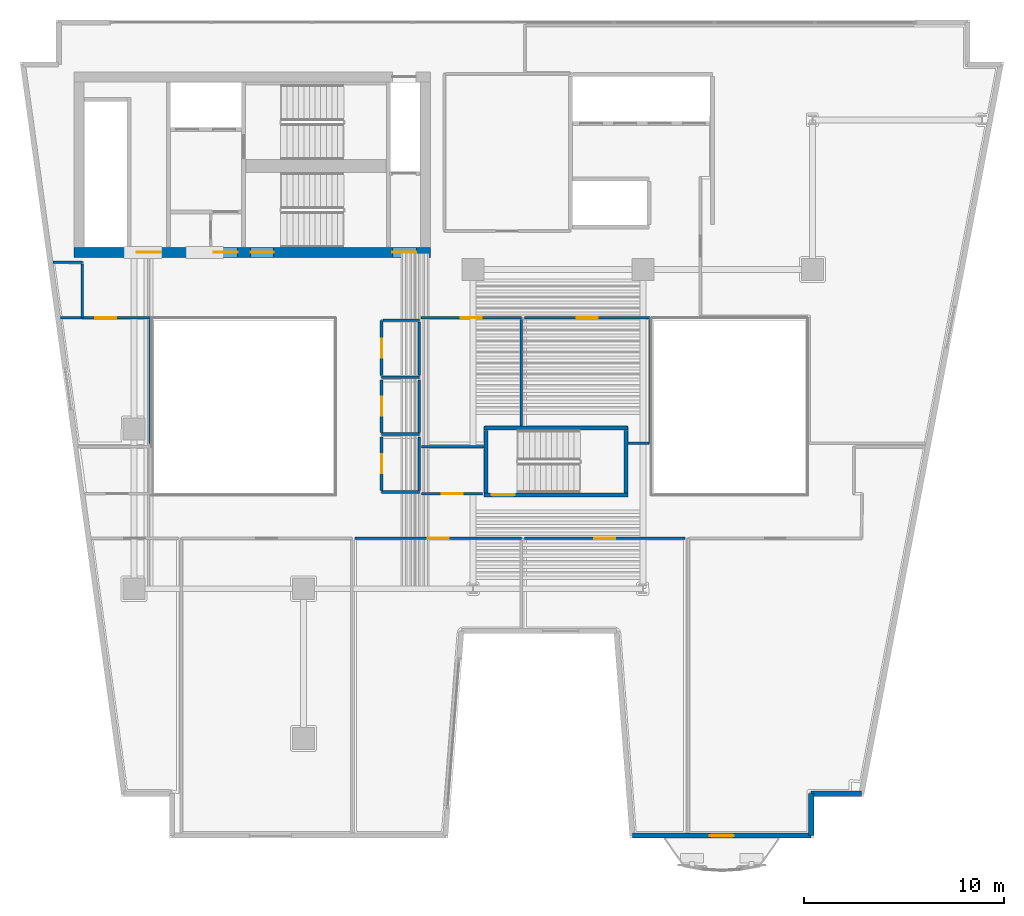
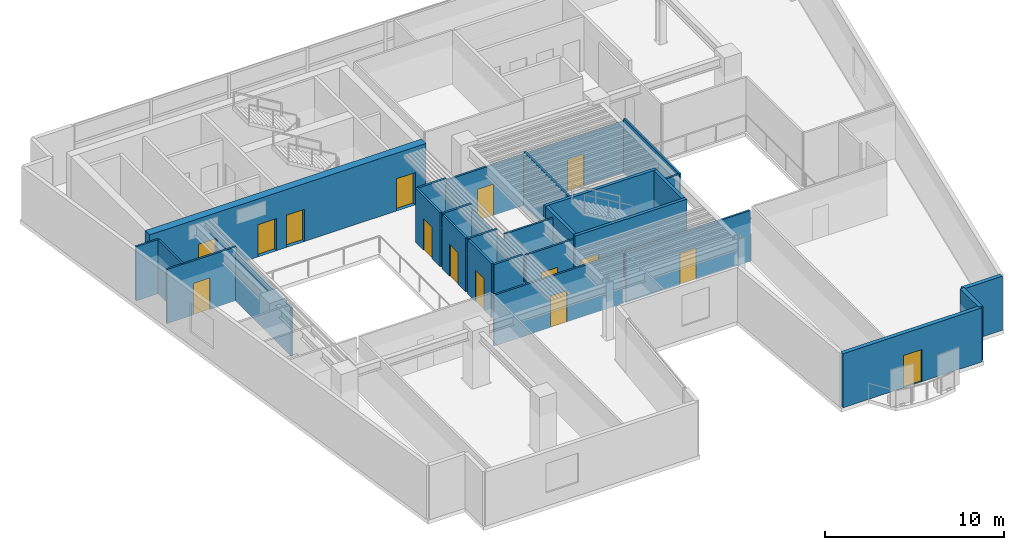
# One storey, part 6 of 12: 31 walls, 15 doors, 15 openings.
"""IFC4 building model written with IfcOpenShell, lengths in metres."""

from ifc_helpers import new_model, si_unit, direction, frame, frame_2d, origin, place, context, subcontext, project, spatial, rectangle, extrude, material, layer, layer_set, type_object, element, fill, save


model = new_model("IFC4")

# Units and contexts
model_context = context("Model", 3, precision=1e-05, world=origin(), true_north=direction((0.0, 1.0)))
body_context = subcontext(model_context, "Body", "Model", "MODEL_VIEW")
ifc_project = project(units=[si_unit("LENGTHUNIT", "METRE"), si_unit("AREAUNIT", "SQUARE_METRE"), si_unit("VOLUMEUNIT", "CUBIC_METRE"), si_unit("PLANEANGLEUNIT", "RADIAN"), si_unit("MASSUNIT", "GRAM", prefix="KILO")], contexts=[model_context])

# Site, building, storey
site_placement = place(None, origin())
site = spatial("IfcSite", under=ifc_project, at=site_placement, CompositionType="ELEMENT")
building_placement = place(site_placement, origin())
building = spatial("IfcBuilding", under=site, at=building_placement, Name="Caeloran Harvest Quay", CompositionType="ELEMENT")
storey_placement = place(building_placement, frame((0.0, 0.0, 154.85009765625)))
storey = spatial("IfcBuildingStorey", under=building, at=storey_placement, Name="L36", CompositionType="ELEMENT", Elevation=154.85009765625)

# Walls
ifc_material_1 = material(Name="Precast concrete C50/60", Category="concrete")
ifc_layer_1 = layer(ifc_material_1, 0.260009765625, Name="Precast concrete C50/60")
ifc_layer_set_1 = layer_set([ifc_layer_1], Name="Precast concrete C50/60")
wall_type_1 = type_object("IfcWallType", Name="ENV-WALL-EW-260", PredefinedType="STANDARD", material=ifc_layer_set_1)
wall_1_placement = place(storey_placement, frame((44.96337890625, 4.72998046875, 0.0), z_axis=(0.0, 0.0, 1.0), x_axis=(-1.0, 0.0, 0.0)))
element("IfcWall", 1, at=wall_1_placement, inside=storey, type_object=wall_type_1, Name="L36 Exterior Precast Concrete Facade Wall 10", PredefinedType="STANDARD", context=body_context, shape_type="SweptSolid", body=[
    extrude(rectangle(XDim=2.5234375, YDim=0.260009765625, at=frame_2d((1.26171875, 0.0))), origin(), (0.0, 0.0, 1.0), 3.68994140625),
])
wall_2_placement = place(storey_placement, frame((42.43994140625, 4.72998046875, 0.0), z_axis=(0.0, 0.0, 1.0), x_axis=(0.0, -1.0, 0.0)))
element("IfcWall", 2, at=wall_2_placement, inside=storey, type_object=wall_type_1, Name="L36 Exterior Precast Concrete Facade Wall 11", PredefinedType="STANDARD", context=body_context, shape_type="SweptSolid", body=[
    extrude(rectangle(XDim=2.10009765625, YDim=0.260009765625, at=frame_2d((1.050048828125, 0.0))), origin(), (0.0, 0.0, 1.0), 3.68994140625),
])

# Wall, opening, door
wall_3_placement = place(storey_placement, frame((42.43994140625, 2.6298828125, 0.0), z_axis=(0.0, 0.0, 1.0), x_axis=(-1.0, 0.0, 0.0)))
wall_3 = element("IfcWall", 3, at=wall_3_placement, inside=storey, type_object=wall_type_1, Name="L36 Exterior Precast Concrete Facade Wall 12", PredefinedType="STANDARD", context=body_context, shape_type="SweptSolid", body=[
    extrude(rectangle(XDim=8.96484375, YDim=0.260009765625, at=frame_2d((4.482421875, 0.0))), origin(), (0.0, 0.0, 1.0), 3.68994140625),
])
opening_1_placement = place(wall_3_placement, frame((3.882080078125, 0.0, 0.0)))
opening_1 = element("IfcOpeningElement", 4, at=opening_1_placement, cuts=wall_3, Name="Opening BD-01", PredefinedType="OPENING", context=body_context, shape_type="SweptSolid", body=[
    extrude(rectangle(XDim=1.199951171875, YDim=2.199951171875, at=frame_2d((0.60009765625, 1.10009765625))), frame((0.0, 0.14013671875, 0.0), z_axis=(0.0, -1.0, 0.0), x_axis=(1.0, 0.0, 0.0)), (0.0, 0.0, 1.0), 0.280029296875),
])
ifc_material_2 = material(Name="Thermally Broken Powder-Coated Aluminium and Safety Glass", Category="aluminium")
door_type_1 = type_object("IfcDoorType", Name="EXTDOOR-BD-01", OperationType="NOTDEFINED", PredefinedType="DOOR", material=ifc_material_2)
door_1_placement = place(opening_1_placement, origin())
door_1 = element("IfcDoor", 5, at=door_1_placement, inside=storey, type_object=door_type_1, Name="L36 Planted Balcony Glazed Access Door", OperationType="SINGLE_SWING_LEFT", OverallHeight=2.199951171875, OverallWidth=1.199951171875, PredefinedType="DOOR", context=body_context, shape_type="SweptSolid", body=[
    extrude(rectangle(XDim=1.199951171875, YDim=2.199951171875, at=frame_2d((0.60009765625, 1.10009765625))), frame((0.0, 0.02490234375, 0.0), z_axis=(0.0, -1.0, 0.0), x_axis=(1.0, 0.0, 0.0)), (0.0, 0.0, 1.0), 0.050048828125),
])
fill(opening_1, door_1)

ifc_material_3 = material(Name="Twin-Stud Mineral-Wool Acoustic Gypsum Partition", Category="gypsum")
ifc_layer_2 = layer(ifc_material_3, 0.125, Name="Twin-Stud Mineral-Wool Acoustic Gypsum Partition")
ifc_layer_set_2 = layer_set([ifc_layer_2], Name="Twin-Stud Mineral-Wool Acoustic Gypsum Partition")
wall_type_2 = type_object("IfcWallType", Name="INT-WALL-PW-125", PredefinedType="PARTITIONING", material=ifc_layer_set_2)
wall_4_placement = place(storey_placement, frame((19.580078125, 17.52001953125, 0.0), z_axis=(0.0, 0.0, 1.0), x_axis=(1.0, 0.0, 0.0)))
wall_4 = element("IfcWall", 6, at=wall_4_placement, inside=storey, type_object=wall_type_2, Name="Climate Risk Modelling Office Partition Wall", PredefinedType="PARTITIONING", context=body_context, shape_type="SweptSolid", body=[
    extrude(rectangle(XDim=8.33984375, YDim=0.125, at=frame_2d((4.169921875, 0.0))), origin(), (0.0, 0.0, 1.0), 3.474853515625),
])
opening_2_placement = place(wall_4_placement, frame((3.64501953125, 0.0, 0.0)))
opening_2 = element("IfcOpeningElement", 7, at=opening_2_placement, cuts=wall_4, Name="Opening ID-03", PredefinedType="OPENING", context=body_context, shape_type="SweptSolid", body=[
    extrude(rectangle(XDim=1.050048828125, YDim=2.14990234375, at=frame_2d((0.52490234375, 1.074951171875))), frame((0.0, 0.072509765625, 0.0), z_axis=(0.0, -1.0, 0.0), x_axis=(1.0, 0.0, 0.0)), (0.0, 0.0, 1.0), 0.14501953125),
])
ifc_material_4 = material(Name="FSC Solid-Core Oak Timber Leaf", Category="wood")
door_type_2 = type_object("IfcDoorType", Name="INTDOOR-ID-03", OperationType="NOTDEFINED", PredefinedType="DOOR", material=ifc_material_4)
door_2_placement = place(opening_2_placement, origin())
door_2 = element("IfcDoor", 8, at=door_2_placement, inside=storey, type_object=door_type_2, Name="Climate Risk Modelling Office Access Door", OperationType="SINGLE_SWING_LEFT", OverallHeight=2.14990234375, OverallWidth=1.050048828125, PredefinedType="DOOR", context=body_context, shape_type="SweptSolid", body=[
    extrude(rectangle(XDim=1.050048828125, YDim=2.14990234375, at=frame_2d((0.52490234375, 1.074951171875))), frame((0.0, 0.02490234375, 0.0), z_axis=(0.0, -1.0, 0.0), x_axis=(1.0, 0.0, 0.0)), (0.0, 0.0, 1.0), 0.050048828125),
])
fill(opening_2, door_2)

wall_5_placement = place(storey_placement, frame((28.080078125, 17.52001953125, 0.0), z_axis=(0.0, 0.0, 1.0), x_axis=(1.0, 0.0, 0.0)))
wall_5 = element("IfcWall", 9, at=wall_5_placement, inside=storey, type_object=wall_type_2, Name="Video-Conference Boardroom Partition Wall", PredefinedType="PARTITIONING", context=body_context, shape_type="SweptSolid", body=[
    extrude(rectangle(XDim=8.0400390625, YDim=0.125, at=frame_2d((4.02001953125, 0.0))), origin(), (0.0, 0.0, 1.0), 3.474853515625),
])
opening_3_placement = place(wall_5_placement, frame((3.4951171875, 0.0, 0.0)))
opening_3 = element("IfcOpeningElement", 10, at=opening_3_placement, cuts=wall_5, Name="Opening ID-03", PredefinedType="OPENING", context=body_context, shape_type="SweptSolid", body=[
    extrude(rectangle(XDim=1.050048828125, YDim=2.14990234375, at=frame_2d((0.52490234375, 1.074951171875))), frame((0.0, 0.072509765625, 0.0), z_axis=(0.0, -1.0, 0.0), x_axis=(1.0, 0.0, 0.0)), (0.0, 0.0, 1.0), 0.14501953125),
])
door_3_placement = place(opening_3_placement, origin())
door_3 = element("IfcDoor", 11, at=door_3_placement, inside=storey, type_object=door_type_2, Name="Video-Conference Boardroom Access Door", OperationType="SINGLE_SWING_RIGHT", OverallHeight=2.14990234375, OverallWidth=1.050048828125, PredefinedType="DOOR", context=body_context, shape_type="SweptSolid", body=[
    extrude(rectangle(XDim=1.050048828125, YDim=2.14990234375, at=frame_2d((0.52490234375, 1.074951171875))), frame((0.0, 0.02490234375, 0.0), z_axis=(0.0, -1.0, 0.0), x_axis=(1.0, 0.0, 0.0)), (0.0, 0.0, 1.0), 0.050048828125),
])
fill(opening_3, door_3)

wall_6_placement = place(storey_placement, frame((25.9755859375, 19.75, 0.0), z_axis=(0.0, 0.0, 1.0), x_axis=(-1.0, 0.0, 0.0)))
wall_6 = element("IfcWall", 12, at=wall_6_placement, inside=storey, type_object=wall_type_2, Name="Executive Briefing Conference Room Partition Wall", PredefinedType="PARTITIONING", context=body_context, shape_type="SweptSolid", body=[
    extrude(rectangle(XDim=3.065673828125, YDim=0.125, at=frame_2d((1.53271484375, 0.0))), origin(), (0.0, 0.0, 1.0), 3.68994140625),
])
opening_4_placement = place(wall_6_placement, frame((1.0078125, 0.0, 0.0)))
opening_4 = element("IfcOpeningElement", 13, at=opening_4_placement, cuts=wall_6, Name="Opening ID-03", PredefinedType="OPENING", context=body_context, shape_type="SweptSolid", body=[
    extrude(rectangle(XDim=1.050048828125, YDim=2.14990234375, at=frame_2d((0.52490234375, 1.074951171875))), frame((0.0, 0.072509765625, 0.0), z_axis=(0.0, -1.0, 0.0), x_axis=(1.0, 0.0, 0.0)), (0.0, 0.0, 1.0), 0.14501953125),
])
door_4_placement = place(opening_4_placement, origin())
door_4 = element("IfcDoor", 14, at=door_4_placement, inside=storey, type_object=door_type_2, Name="Executive Briefing Conference Room Access Door", OperationType="SINGLE_SWING_LEFT", OverallHeight=2.14990234375, OverallWidth=1.050048828125, PredefinedType="DOOR", context=body_context, shape_type="SweptSolid", body=[
    extrude(rectangle(XDim=1.050048828125, YDim=2.14990234375, at=frame_2d((0.52490234375, 1.074951171875))), frame((0.0, 0.02490234375, 0.0), z_axis=(0.0, -1.0, 0.0), x_axis=(1.0, 0.0, 0.0)), (0.0, 0.0, 1.0), 0.050048828125),
])
fill(opening_4, door_4)

# Wall
wall_7_placement = place(storey_placement, frame((22.909912109375, 22.1201171875, 0.0), z_axis=(0.0, 0.0, 1.0), x_axis=(1.0, 0.0, 0.0)))
element("IfcWall", 15, at=wall_7_placement, inside=storey, type_object=wall_type_2, Name="Executive Briefing Conference Room Partition Wall", PredefinedType="PARTITIONING", context=body_context, shape_type="SweptSolid", body=[
    extrude(rectangle(XDim=3.135009765625, YDim=0.125, at=frame_2d((1.5673828125, 0.0))), origin(), (0.0, 0.0, 1.0), 3.68994140625),
])

# Wall, opening, door
wall_8_placement = place(storey_placement, frame((22.889892578125, 28.570068359375, 0.0), z_axis=(0.0, 0.0, 1.0), x_axis=(1.0, 0.0, 0.0)))
wall_8 = element("IfcWall", 16, at=wall_8_placement, inside=storey, type_object=wall_type_2, Name="Client Reception Salon Lounge Partition Wall", PredefinedType="PARTITIONING", context=body_context, shape_type="SweptSolid", body=[
    extrude(rectangle(XDim=5.030029296875, YDim=0.125, at=frame_2d((2.51513671875, 0.0))), origin(), (0.0, 0.0, 1.0), 3.474853515625),
])
opening_5_placement = place(wall_8_placement, frame((1.989990234375, 0.0, 0.0)))
opening_5 = element("IfcOpeningElement", 17, at=opening_5_placement, cuts=wall_8, Name="Opening ID-03", PredefinedType="OPENING", context=body_context, shape_type="SweptSolid", body=[
    extrude(rectangle(XDim=1.050048828125, YDim=2.14990234375, at=frame_2d((0.52490234375, 1.074951171875))), frame((0.0, 0.072509765625, 0.0), z_axis=(0.0, -1.0, 0.0), x_axis=(1.0, 0.0, 0.0)), (0.0, 0.0, 1.0), 0.14501953125),
])
door_5_placement = place(opening_5_placement, origin())
door_5 = element("IfcDoor", 18, at=door_5_placement, inside=storey, type_object=door_type_2, Name="Client Reception Salon Lounge Access Door", OperationType="SINGLE_SWING_LEFT", OverallHeight=2.14990234375, OverallWidth=1.050048828125, PredefinedType="DOOR", context=body_context, shape_type="SweptSolid", body=[
    extrude(rectangle(XDim=1.050048828125, YDim=2.14990234375, at=frame_2d((0.52490234375, 1.074951171875))), frame((0.0, 0.02490234375, 0.0), z_axis=(0.0, -1.0, 0.0), x_axis=(1.0, 0.0, 0.0)), (0.0, 0.0, 1.0), 0.050048828125),
])
fill(opening_5, door_5)

# Wall
wall_9_placement = place(storey_placement, frame((27.919921875, 28.50244140625, 0.0), z_axis=(0.0, 0.0, 1.0), x_axis=(0.0, -1.0, 0.0)))
element("IfcWall", 19, at=wall_9_placement, inside=storey, type_object=wall_type_2, Name="Client Reception Salon Lounge Partition Wall", PredefinedType="PARTITIONING", context=body_context, shape_type="SweptSolid", body=[
    extrude(rectangle(XDim=5.347412109375, YDim=0.125, at=frame_2d((2.673828125, 0.0))), origin(), (0.0, 0.0, 1.0), 3.68994140625),
])

# Wall, opening, door
wall_10_placement = place(storey_placement, frame((28.080078125, 28.570068359375, 0.0), z_axis=(0.0, 0.0, 1.0), x_axis=(1.0, 0.0, 0.0)))
wall_10 = element("IfcWall", 20, at=wall_10_placement, inside=storey, type_object=wall_type_2, Name="Supply-Chain Digital Trading Floor Office 9 Partition Wall", PredefinedType="PARTITIONING", context=body_context, shape_type="SweptSolid", body=[
    extrude(rectangle(XDim=6.2900390625, YDim=0.125, at=frame_2d((3.14501953125, 0.0))), origin(), (0.0, 0.0, 1.0), 3.474853515625),
])
opening_6_placement = place(wall_10_placement, frame((2.6201171875, 0.0, 0.0)))
opening_6 = element("IfcOpeningElement", 21, at=opening_6_placement, cuts=wall_10, Name="Opening ID-03", PredefinedType="OPENING", context=body_context, shape_type="SweptSolid", body=[
    extrude(rectangle(XDim=1.050048828125, YDim=2.14990234375, at=frame_2d((0.52490234375, 1.074951171875))), frame((0.0, 0.072509765625, 0.0), z_axis=(0.0, -1.0, 0.0), x_axis=(1.0, 0.0, 0.0)), (0.0, 0.0, 1.0), 0.14501953125),
])
door_6_placement = place(opening_6_placement, origin())
door_6 = element("IfcDoor", 22, at=door_6_placement, inside=storey, type_object=door_type_2, Name="Supply-Chain Digital Trading Floor Office 9 Access Door", OperationType="SINGLE_SWING_RIGHT", OverallHeight=2.14990234375, OverallWidth=1.050048828125, PredefinedType="DOOR", context=body_context, shape_type="SweptSolid", body=[
    extrude(rectangle(XDim=1.050048828125, YDim=2.14990234375, at=frame_2d((0.52490234375, 1.074951171875))), frame((0.0, 0.02490234375, 0.0), z_axis=(0.0, -1.0, 0.0), x_axis=(1.0, 0.0, 0.0)), (0.0, 0.0, 1.0), 0.050048828125),
])
fill(opening_6, door_6)

# Walls
wall_11_placement = place(storey_placement, frame((34.3701171875, 28.50244140625, 0.0), z_axis=(0.0, 0.0, 1.0), x_axis=(0.0, -1.0, 0.0)))
element("IfcWall", 23, at=wall_11_placement, inside=storey, type_object=wall_type_2, Name="Supply-Chain Digital Trading Floor Office 9 Partition Wall", PredefinedType="PARTITIONING", context=body_context, shape_type="SweptSolid", body=[
    extrude(rectangle(XDim=6.222412109375, YDim=0.125, at=frame_2d((3.111328125, 0.0))), origin(), (0.0, 0.0, 1.0), 3.68994140625),
])
wall_12_placement = place(storey_placement, frame((34.302490234375, 22.280029296875, 0.0), z_axis=(0.0, 0.0, 1.0), x_axis=(-1.0, 0.0, 0.0)))
element("IfcWall", 24, at=wall_12_placement, inside=storey, type_object=wall_type_2, Name="Supply-Chain Digital Trading Floor Office 9 Partition Wall", PredefinedType="PARTITIONING", context=body_context, shape_type="SweptSolid", body=[
    extrude(rectangle(XDim=1.047607421875, YDim=0.125, at=frame_2d((0.52392578125, 0.0))), origin(), (0.0, 0.0, 1.0), 3.68994140625),
])
wall_13_placement = place(storey_placement, frame((4.44775390625, 31.35009765625, 0.0), z_axis=(0.0, 0.0, 1.0), x_axis=(1.0, 0.0, 0.0)))
element("IfcWall", 25, at=wall_13_placement, inside=storey, type_object=wall_type_2, Name="Climate Risk Modelling Office 10 Partition Wall", PredefinedType="PARTITIONING", context=body_context, shape_type="SweptSolid", body=[
    extrude(rectangle(XDim=1.47216796875, YDim=0.125, at=frame_2d((0.736083984375, 0.0))), origin(), (0.0, 0.0, 1.0), 3.68994140625),
])
wall_14_placement = place(storey_placement, frame((5.919921875, 31.282470703125, 0.0), z_axis=(0.0, 0.0, 1.0), x_axis=(0.0, -1.0, 0.0)))
element("IfcWall", 26, at=wall_14_placement, inside=storey, type_object=wall_type_2, Name="Climate Risk Modelling Office 10 Partition Wall", PredefinedType="PARTITIONING", context=body_context, shape_type="SweptSolid", body=[
    extrude(rectangle(XDim=2.682373046875, YDim=0.125, at=frame_2d((1.34130859375, 0.0))), origin(), (0.0, 0.0, 1.0), 3.68994140625),
])

# Wall, opening, door
wall_15_placement = place(storey_placement, frame((4.832275390625, 28.570068359375, 0.0), z_axis=(0.0, 0.0, 1.0), x_axis=(1.0, 0.0, 0.0)))
wall_15 = element("IfcWall", 27, at=wall_15_placement, inside=storey, type_object=wall_type_2, Name="Climate Risk Modelling Office 10 Partition Wall", PredefinedType="PARTITIONING", context=body_context, shape_type="SweptSolid", body=[
    extrude(rectangle(XDim=4.48779296875, YDim=0.125, at=frame_2d((2.243896484375, 0.0))), origin(), (0.0, 0.0, 1.0), 3.68994140625),
])
opening_7_placement = place(wall_15_placement, frame((1.718994140625, 0.0, 0.0)))
opening_7 = element("IfcOpeningElement", 28, at=opening_7_placement, cuts=wall_15, Name="Opening ID-03", PredefinedType="OPENING", context=body_context, shape_type="SweptSolid", body=[
    extrude(rectangle(XDim=1.050048828125, YDim=2.14990234375, at=frame_2d((0.52490234375, 1.074951171875))), frame((0.0, 0.072509765625, 0.0), z_axis=(0.0, -1.0, 0.0), x_axis=(1.0, 0.0, 0.0)), (0.0, 0.0, 1.0), 0.14501953125),
])
door_7_placement = place(opening_7_placement, origin())
door_7 = element("IfcDoor", 29, at=door_7_placement, inside=storey, type_object=door_type_2, Name="Climate Risk Modelling Office 10 Access Door", OperationType="SINGLE_SWING_LEFT", OverallHeight=2.14990234375, OverallWidth=1.050048828125, PredefinedType="DOOR", context=body_context, shape_type="SweptSolid", body=[
    extrude(rectangle(XDim=1.050048828125, YDim=2.14990234375, at=frame_2d((0.52490234375, 1.074951171875))), frame((0.0, 0.02490234375, 0.0), z_axis=(0.0, -1.0, 0.0), x_axis=(1.0, 0.0, 0.0)), (0.0, 0.0, 1.0), 0.050048828125),
])
fill(opening_7, door_7)

# Walls
wall_16_placement = place(storey_placement, frame((9.320068359375, 28.50244140625, 0.0), z_axis=(0.0, 0.0, 1.0), x_axis=(0.0, -1.0, 0.0)))
element("IfcWall", 30, at=wall_16_placement, inside=storey, type_object=wall_type_2, Name="Climate Risk Modelling Office 10 Partition Wall", PredefinedType="PARTITIONING", context=body_context, shape_type="SweptSolid", body=[
    extrude(rectangle(XDim=6.222412109375, YDim=0.125, at=frame_2d((3.111328125, 0.0))), origin(), (0.0, 0.0, 1.0), 3.31494140625),
])
ifc_material_5 = material(Name="Moisture-Resistant Cement-Board Sanitary Partition", Category="gypsum")
ifc_layer_3 = layer(ifc_material_5, 0.139892578125, Name="Moisture-Resistant Cement-Board Sanitary Partition")
ifc_layer_set_3 = layer_set([ifc_layer_3], Name="Moisture-Resistant Cement-Board Sanitary Partition")
wall_type_3 = type_object("IfcWallType", Name="INT-WALL-PW-140", PredefinedType="PARTITIONING", material=ifc_layer_set_3)
wall_17_placement = place(storey_placement, frame((22.800048828125, 25.60009765625, 0.0), z_axis=(0.0, 0.0, 1.0), x_axis=(-1.0, 0.0, 0.0)))
element("IfcWall", 31, at=wall_17_placement, inside=storey, type_object=wall_type_3, Name="L36 Male Washroom WC Partition Wall", PredefinedType="PARTITIONING", context=body_context, shape_type="SweptSolid", body=[
    extrude(rectangle(XDim=1.89013671875, YDim=0.139892578125, at=frame_2d((0.945068359375, 0.0))), origin(), (0.0, 0.0, 1.0), 3.68994140625),
])

# Wall, opening, door
wall_18_placement = place(storey_placement, frame((20.909912109375, 25.675048828125, 0.0), z_axis=(0.0, 0.0, 1.0), x_axis=(0.0, 1.0, 0.0)))
wall_18 = element("IfcWall", 32, at=wall_18_placement, inside=storey, type_object=wall_type_3, Name="L36 Male Washroom WC Partition Wall", PredefinedType="PARTITIONING", context=body_context, shape_type="SweptSolid", body=[
    extrude(rectangle(XDim=2.77490234375, YDim=0.139892578125, at=frame_2d((1.387451171875, 0.0))), origin(), (0.0, 0.0, 1.0), 3.68994140625),
])
opening_8_placement = place(wall_18_placement, frame((0.91259765625, 0.0, 0.0)))
opening_8 = element("IfcOpeningElement", 33, at=opening_8_placement, cuts=wall_18, Name="Opening WC-01", PredefinedType="OPENING", context=body_context, shape_type="SweptSolid", body=[
    extrude(rectangle(XDim=0.949951171875, YDim=2.14990234375, at=frame_2d((0.47509765625, 1.074951171875))), frame((0.0, 0.080078125, 0.0), z_axis=(0.0, -1.0, 0.0), x_axis=(1.0, 0.0, 0.0)), (0.0, 0.0, 1.0), 0.159912109375),
])
ifc_material_6 = material(Name="High-Pressure Laminate Moisture-Resistant Timber", Category="wood")
door_type_3 = type_object("IfcDoorType", Name="INTDOOR-WC-01", OperationType="NOTDEFINED", PredefinedType="DOOR", material=ifc_material_6)
door_8_placement = place(opening_8_placement, origin())
door_8 = element("IfcDoor", 34, at=door_8_placement, inside=storey, type_object=door_type_3, Name="L36 Male Washroom WC Access Door", OperationType="SINGLE_SWING_LEFT", OverallHeight=2.14990234375, OverallWidth=0.949951171875, PredefinedType="DOOR", context=body_context, shape_type="SweptSolid", body=[
    extrude(rectangle(XDim=0.949951171875, YDim=2.14990234375, at=frame_2d((0.47509765625, 1.074951171875))), frame((0.0, 0.02490234375, 0.0), z_axis=(0.0, -1.0, 0.0), x_axis=(1.0, 0.0, 0.0)), (0.0, 0.0, 1.0), 0.050048828125),
])
fill(opening_8, door_8)

# Walls
wall_19_placement = place(storey_placement, frame((20.985107421875, 28.449951171875, 0.0), z_axis=(0.0, 0.0, 1.0), x_axis=(1.0, 0.0, 0.0)))
element("IfcWall", 35, at=wall_19_placement, inside=storey, type_object=wall_type_3, Name="L36 Male Washroom WC Partition Wall", PredefinedType="PARTITIONING", context=body_context, shape_type="SweptSolid", body=[
    extrude(rectangle(XDim=1.81494140625, YDim=0.139892578125, at=frame_2d((0.907470703125, 0.0))), origin(), (0.0, 0.0, 1.0), 3.68994140625),
])
wall_20_placement = place(storey_placement, frame((22.800048828125, 28.375, 0.0), z_axis=(0.0, 0.0, 1.0), x_axis=(0.0, -1.0, 0.0)))
element("IfcWall", 36, at=wall_20_placement, inside=storey, type_object=wall_type_3, Name="L36 Male Washroom WC Partition Wall", PredefinedType="PARTITIONING", context=body_context, shape_type="SweptSolid", body=[
    extrude(rectangle(XDim=2.699951171875, YDim=0.139892578125, at=frame_2d((1.35009765625, 0.0))), origin(), (0.0, 0.0, 1.0), 3.31494140625),
])
wall_21_placement = place(storey_placement, frame((22.800048828125, 22.75, 0.0), z_axis=(0.0, 0.0, 1.0), x_axis=(-1.0, 0.0, 0.0)))
element("IfcWall", 37, at=wall_21_placement, inside=storey, type_object=wall_type_3, Name="L36 Female Washroom WC Partition Wall", PredefinedType="PARTITIONING", context=body_context, shape_type="SweptSolid", body=[
    extrude(rectangle(XDim=1.89013671875, YDim=0.139892578125, at=frame_2d((0.945068359375, 0.0))), origin(), (0.0, 0.0, 1.0), 3.68994140625),
])

# Wall, opening, door
wall_22_placement = place(storey_placement, frame((20.909912109375, 22.824951171875, 0.0), z_axis=(0.0, 0.0, 1.0), x_axis=(0.0, 1.0, 0.0)))
wall_22 = element("IfcWall", 38, at=wall_22_placement, inside=storey, type_object=wall_type_3, Name="L36 Female Washroom WC Partition Wall", PredefinedType="PARTITIONING", context=body_context, shape_type="SweptSolid", body=[
    extrude(rectangle(XDim=2.625, YDim=0.139892578125, at=frame_2d((1.3125, 0.0))), origin(), (0.0, 0.0, 1.0), 3.68994140625),
])
opening_9_placement = place(wall_22_placement, frame((0.83740234375, 0.0, 0.0)))
opening_9 = element("IfcOpeningElement", 39, at=opening_9_placement, cuts=wall_22, Name="Opening WC-01", PredefinedType="OPENING", context=body_context, shape_type="SweptSolid", body=[
    extrude(rectangle(XDim=0.949951171875, YDim=2.14990234375, at=frame_2d((0.47509765625, 1.074951171875))), frame((0.0, 0.080078125, 0.0), z_axis=(0.0, -1.0, 0.0), x_axis=(1.0, 0.0, 0.0)), (0.0, 0.0, 1.0), 0.159912109375),
])
door_9_placement = place(opening_9_placement, origin())
door_9 = element("IfcDoor", 40, at=door_9_placement, inside=storey, type_object=door_type_3, Name="L36 Female Washroom WC Access Door", OperationType="SINGLE_SWING_RIGHT", OverallHeight=2.14990234375, OverallWidth=0.949951171875, PredefinedType="DOOR", context=body_context, shape_type="SweptSolid", body=[
    extrude(rectangle(XDim=0.949951171875, YDim=2.14990234375, at=frame_2d((0.47509765625, 1.074951171875))), frame((0.0, 0.02490234375, 0.0), z_axis=(0.0, -1.0, 0.0), x_axis=(1.0, 0.0, 0.0)), (0.0, 0.0, 1.0), 0.050048828125),
])
fill(opening_9, door_9)

# Walls
wall_23_placement = place(storey_placement, frame((22.800048828125, 25.449951171875, 0.0), z_axis=(0.0, 0.0, 1.0), x_axis=(0.0, -1.0, 0.0)))
element("IfcWall", 41, at=wall_23_placement, inside=storey, type_object=wall_type_3, Name="L36 Female Washroom WC Partition Wall", PredefinedType="PARTITIONING", context=body_context, shape_type="SweptSolid", body=[
    extrude(rectangle(XDim=2.625, YDim=0.139892578125, at=frame_2d((1.3125, 0.0))), origin(), (0.0, 0.0, 1.0), 3.31494140625),
])
wall_24_placement = place(storey_placement, frame((22.800048828125, 19.85009765625, 0.0), z_axis=(0.0, 0.0, 1.0), x_axis=(-1.0, 0.0, 0.0)))
element("IfcWall", 42, at=wall_24_placement, inside=storey, type_object=wall_type_3, Name="L36 Accessible Unisex Washroom WC Partition Wall", PredefinedType="PARTITIONING", context=body_context, shape_type="SweptSolid", body=[
    extrude(rectangle(XDim=1.89013671875, YDim=0.139892578125, at=frame_2d((0.945068359375, 0.0))), origin(), (0.0, 0.0, 1.0), 3.68994140625),
])

# Wall, opening, door
wall_25_placement = place(storey_placement, frame((20.909912109375, 19.925048828125, 0.0), z_axis=(0.0, 0.0, 1.0), x_axis=(0.0, 1.0, 0.0)))
wall_25 = element("IfcWall", 43, at=wall_25_placement, inside=storey, type_object=wall_type_3, Name="L36 Accessible Unisex Washroom WC Partition Wall", PredefinedType="PARTITIONING", context=body_context, shape_type="SweptSolid", body=[
    extrude(rectangle(XDim=2.675048828125, YDim=0.139892578125, at=frame_2d((1.33740234375, 0.0))), origin(), (0.0, 0.0, 1.0), 3.68994140625),
])
opening_10_placement = place(wall_25_placement, frame((0.862548828125, 0.0, 0.0)))
opening_10 = element("IfcOpeningElement", 44, at=opening_10_placement, cuts=wall_25, Name="Opening WC-01", PredefinedType="OPENING", context=body_context, shape_type="SweptSolid", body=[
    extrude(rectangle(XDim=0.949951171875, YDim=2.14990234375, at=frame_2d((0.47509765625, 1.074951171875))), frame((0.0, 0.080078125, 0.0), z_axis=(0.0, -1.0, 0.0), x_axis=(1.0, 0.0, 0.0)), (0.0, 0.0, 1.0), 0.159912109375),
])
door_10_placement = place(opening_10_placement, origin())
door_10 = element("IfcDoor", 45, at=door_10_placement, inside=storey, type_object=door_type_3, Name="L36 Accessible Unisex Washroom WC Access Door", OperationType="SINGLE_SWING_LEFT", OverallHeight=2.14990234375, OverallWidth=0.949951171875, PredefinedType="DOOR", context=body_context, shape_type="SweptSolid", body=[
    extrude(rectangle(XDim=0.949951171875, YDim=2.14990234375, at=frame_2d((0.47509765625, 1.074951171875))), frame((0.0, 0.02490234375, 0.0), z_axis=(0.0, -1.0, 0.0), x_axis=(1.0, 0.0, 0.0)), (0.0, 0.0, 1.0), 0.050048828125),
])
fill(opening_10, door_10)

# Wall
wall_26_placement = place(storey_placement, frame((22.800048828125, 22.60009765625, 0.0), z_axis=(0.0, 0.0, 1.0), x_axis=(0.0, -1.0, 0.0)))
element("IfcWall", 46, at=wall_26_placement, inside=storey, type_object=wall_type_3, Name="L36 Accessible Unisex Washroom WC Partition Wall", PredefinedType="PARTITIONING", context=body_context, shape_type="SweptSolid", body=[
    extrude(rectangle(XDim=2.675048828125, YDim=0.139892578125, at=frame_2d((1.33740234375, 0.0))), origin(), (0.0, 0.0, 1.0), 3.31494140625),
])

# Wall, openings, doors
ifc_material_7 = material(Name="Concrete C70/85", Category="concrete")
ifc_layer_4 = layer(ifc_material_7, 0.5, Name="Concrete C70/85")
ifc_layer_set_4 = layer_set([ifc_layer_4], Name="Concrete C70/85")
wall_type_4 = type_object("IfcWallType", Name="STR-WALL-CW-500", PredefinedType="SHEAR", material=ifc_layer_set_4)
wall_27_placement = place(storey_placement, frame((5.5, 31.85009765625, 0.0), z_axis=(0.0, 0.0, 1.0), x_axis=(1.0, 0.0, 0.0)))
wall_27 = element("IfcWall", 47, at=wall_27_placement, inside=storey, type_object=wall_type_4, Name="L36 Rear Core Shear Wall S", PredefinedType="SHEAR", context=body_context, shape_type="SweptSolid", body=[
    extrude(rectangle(XDim=17.85009765625, YDim=0.5, at=frame_2d((8.925048828125, 0.0))), origin(), (0.0, 0.0, 1.0), 3.949951171875),
])
opening_11_placement = place(wall_27_placement, frame((3.14990234375, 0.0, 0.0)))
opening_11 = element("IfcOpeningElement", 48, at=opening_11_placement, cuts=wall_27, Name="Opening FD-01", PredefinedType="OPENING", context=body_context, shape_type="SweptSolid", body=[
    extrude(rectangle(XDim=1.199951171875, YDim=2.199951171875, at=frame_2d((0.60009765625, 1.10009765625))), frame((0.0, 0.260009765625, 0.0), z_axis=(0.0, -1.0, 0.0), x_axis=(1.0, 0.0, 0.0)), (0.0, 0.0, 1.0), 0.52001953125),
])
opening_12_placement = place(wall_27_placement, frame((7.0, 0.0, 0.0)))
opening_12 = element("IfcOpeningElement", 49, at=opening_12_placement, cuts=wall_27, Name="Opening FD-01", PredefinedType="OPENING", context=body_context, shape_type="SweptSolid", body=[
    extrude(rectangle(XDim=1.199951171875, YDim=2.199951171875, at=frame_2d((0.60009765625, 1.10009765625))), frame((0.0, 0.260009765625, 0.0), z_axis=(0.0, -1.0, 0.0), x_axis=(1.0, 0.0, 0.0)), (0.0, 0.0, 1.0), 0.52001953125),
])
opening_13_placement = place(wall_27_placement, frame((8.85009765625, 0.0, 0.0)))
opening_13 = element("IfcOpeningElement", 50, at=opening_13_placement, cuts=wall_27, Name="Opening SD-01", PredefinedType="OPENING", context=body_context, shape_type="SweptSolid", body=[
    extrude(rectangle(XDim=1.14990234375, YDim=2.199951171875, at=frame_2d((0.574951171875, 1.10009765625))), frame((0.0, 0.260009765625, 0.0), z_axis=(0.0, -1.0, 0.0), x_axis=(1.0, 0.0, 0.0)), (0.0, 0.0, 1.0), 0.52001953125),
])
opening_14_placement = place(wall_27_placement, frame((15.949951171875, 0.0, 0.0)))
opening_14 = element("IfcOpeningElement", 51, at=opening_14_placement, cuts=wall_27, Name="Opening FD-01", PredefinedType="OPENING", context=body_context, shape_type="SweptSolid", body=[
    extrude(rectangle(XDim=1.199951171875, YDim=2.199951171875, at=frame_2d((0.60009765625, 1.10009765625))), frame((0.0, 0.260009765625, 0.0), z_axis=(0.0, -1.0, 0.0), x_axis=(1.0, 0.0, 0.0)), (0.0, 0.0, 1.0), 0.52001953125),
])
ifc_material_8 = material(Name="Steel", Category="steel")
door_type_4 = type_object("IfcDoorType", Name="INTDOOR-FD-01", OperationType="NOTDEFINED", PredefinedType="DOOR", material=ifc_material_8)
door_11_placement = place(opening_11_placement, origin())
door_11 = element("IfcDoor", 52, at=door_11_placement, inside=storey, type_object=door_type_4, Name="L36 High-Rise Lift Lobby Fire Door", OperationType="SINGLE_SWING_RIGHT", OverallHeight=2.199951171875, OverallWidth=1.199951171875, PredefinedType="DOOR", context=body_context, shape_type="SweptSolid", body=[
    extrude(rectangle(XDim=1.199951171875, YDim=2.199951171875, at=frame_2d((0.60009765625, 1.10009765625))), frame((0.0, 0.02490234375, 0.0), z_axis=(0.0, -1.0, 0.0), x_axis=(1.0, 0.0, 0.0)), (0.0, 0.0, 1.0), 0.050048828125),
])
fill(opening_11, door_11)
door_12_placement = place(opening_12_placement, origin())
door_12 = element("IfcDoor", 53, at=door_12_placement, inside=storey, type_object=door_type_4, Name="L36 Firefighting Lobby Vestibule Fire Door", OperationType="SINGLE_SWING_LEFT", OverallHeight=2.199951171875, OverallWidth=1.199951171875, PredefinedType="DOOR", context=body_context, shape_type="SweptSolid", body=[
    extrude(rectangle(XDim=1.199951171875, YDim=2.199951171875, at=frame_2d((0.60009765625, 1.10009765625))), frame((0.0, 0.02490234375, 0.0), z_axis=(0.0, -1.0, 0.0), x_axis=(1.0, 0.0, 0.0)), (0.0, 0.0, 1.0), 0.050048828125),
])
fill(opening_12, door_12)
door_13_placement = place(opening_14_placement, origin())
door_13 = element("IfcDoor", 54, at=door_13_placement, inside=storey, type_object=door_type_4, Name="L36 Service Lift Lobby Fire Door", OperationType="SINGLE_SWING_LEFT", OverallHeight=2.199951171875, OverallWidth=1.199951171875, PredefinedType="DOOR", context=body_context, shape_type="SweptSolid", body=[
    extrude(rectangle(XDim=1.199951171875, YDim=2.199951171875, at=frame_2d((0.60009765625, 1.10009765625))), frame((0.0, 0.02490234375, 0.0), z_axis=(0.0, -1.0, 0.0), x_axis=(1.0, 0.0, 0.0)), (0.0, 0.0, 1.0), 0.050048828125),
])
fill(opening_14, door_13)
door_type_5 = type_object("IfcDoorType", Name="INTDOOR-SD-01", OperationType="NOTDEFINED", PredefinedType="DOOR", material=ifc_material_8)
door_14_placement = place(opening_13_placement, origin())
door_14 = element("IfcDoor", 55, at=door_14_placement, inside=storey, type_object=door_type_5, Name="L36 Protected Stair ST-C2 Exit Door", OperationType="SINGLE_SWING_RIGHT", OverallHeight=2.199951171875, OverallWidth=1.14990234375, PredefinedType="DOOR", context=body_context, shape_type="SweptSolid", body=[
    extrude(rectangle(XDim=1.14990234375, YDim=2.199951171875, at=frame_2d((0.574951171875, 1.10009765625))), frame((0.0, 0.02490234375, 0.0), z_axis=(0.0, -1.0, 0.0), x_axis=(1.0, 0.0, 0.0)), (0.0, 0.0, 1.0), 0.050048828125),
])
fill(opening_13, door_14)

# Wall, opening, door
ifc_material_9 = material(Name="Concrete C60/75", Category="concrete")
ifc_layer_5 = layer(ifc_material_9, 0.199951171875, Name="Concrete C60/75")
ifc_layer_set_5 = layer_set([ifc_layer_5], Name="Concrete C60/75")
wall_type_5 = type_object("IfcWallType", Name="STR-WALL-SW-200", PredefinedType="SHEAR", material=ifc_layer_set_5)
wall_28_placement = place(storey_placement, frame((26.050048828125, 19.699951171875, 0.0), z_axis=(0.0, 0.0, 1.0), x_axis=(1.0, 0.0, 0.0)))
wall_28 = element("IfcWall", 56, at=wall_28_placement, inside=storey, type_object=wall_type_5, Name="L36 Stair ST-W1 S RC Shaft Shear Wall", PredefinedType="SHEAR", context=body_context, shape_type="SweptSolid", body=[
    extrude(rectangle(XDim=7.199951171875, YDim=0.199951171875, at=frame_2d((3.60009765625, 0.0))), origin(), (0.0, 0.0, 1.0), 3.949951171875),
])
opening_15_placement = place(wall_28_placement, frame((0.3798828125, 0.0, 0.0)))
opening_15 = element("IfcOpeningElement", 57, at=opening_15_placement, cuts=wall_28, Name="Opening SD-01", PredefinedType="OPENING", context=body_context, shape_type="SweptSolid", body=[
    extrude(rectangle(XDim=1.14990234375, YDim=2.199951171875, at=frame_2d((0.574951171875, 1.10009765625))), frame((0.0, 0.10986328125, 0.0), z_axis=(0.0, -1.0, 0.0), x_axis=(1.0, 0.0, 0.0)), (0.0, 0.0, 1.0), 0.219970703125),
])
door_15_placement = place(opening_15_placement, origin())
door_15 = element("IfcDoor", 58, at=door_15_placement, inside=storey, type_object=door_type_5, Name="L36 Protected Exit Stair ST-W1 Fire Door", OperationType="SINGLE_SWING_LEFT", OverallHeight=2.199951171875, OverallWidth=1.14990234375, PredefinedType="DOOR", context=body_context, shape_type="SweptSolid", body=[
    extrude(rectangle(XDim=1.14990234375, YDim=2.199951171875, at=frame_2d((0.574951171875, 1.10009765625))), frame((0.0, 0.02490234375, 0.0), z_axis=(0.0, -1.0, 0.0), x_axis=(1.0, 0.0, 0.0)), (0.0, 0.0, 1.0), 0.050048828125),
])
fill(opening_15, door_15)

# Walls
wall_29_placement = place(storey_placement, frame((26.050048828125, 23.050048828125, 0.0), z_axis=(0.0, 0.0, 1.0), x_axis=(1.0, 0.0, 0.0)))
element("IfcWall", 59, at=wall_29_placement, inside=storey, type_object=wall_type_5, Name="L36 Stair ST-W1 N RC Shaft Shear Wall", PredefinedType="SHEAR", context=body_context, shape_type="SweptSolid", body=[
    extrude(rectangle(XDim=7.199951171875, YDim=0.199951171875, at=frame_2d((3.60009765625, 0.0))), origin(), (0.0, 0.0, 1.0), 3.949951171875),
])
for number, where, z_axis, x_axis, name in (
    (60, (26.14990234375, 19.81005859375, 0.0), (0.0, 0.0, 1.0), (0.0, 1.0, 0.0), "L36 Stair ST-W1 W RC Shaft Shear Wall"),
    (61, (33.14990234375, 19.81005859375, 0.0), (0.0, 0.0, 1.0), (0.0, 1.0, 0.0), "L36 Stair ST-W1 E RC Shaft Shear Wall"),
):
    element("IfcWall", number, at=place(storey_placement, frame(where, z_axis=z_axis, x_axis=x_axis)), inside=storey, type_object=wall_type_5, Name=name, PredefinedType="SHEAR", context=body_context, shape_type="SweptSolid", body=[
        extrude(rectangle(XDim=3.1298828125, YDim=0.199951171875, at=frame_2d((1.56494140625, 0.0))), origin(), (0.0, 0.0, 1.0), 3.949951171875),
    ])

save(model, "model.ifc")
